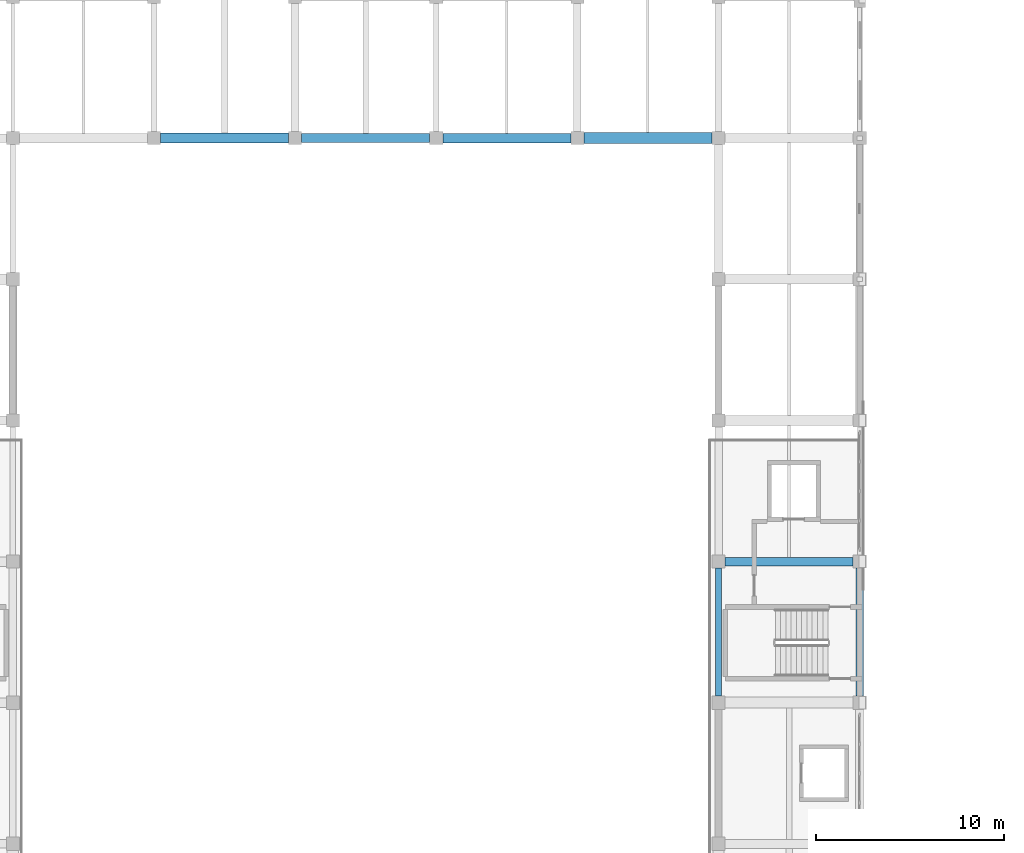
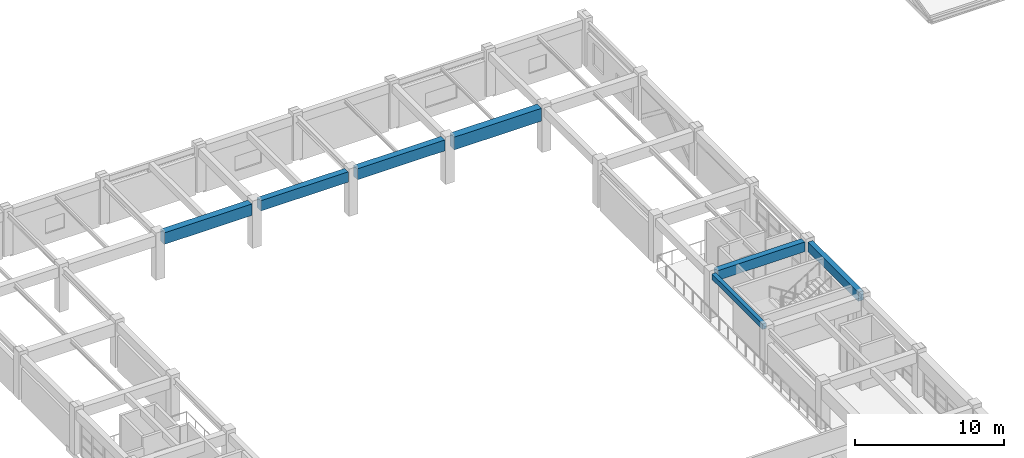
# One storey, part 34 of 82: 7 beams.
"""IFC4 building model written with IfcOpenShell, lengths in metres."""

from ifc_helpers import new_model, si_unit, direction, frame, origin, origin_2d, place, context, subcontext, project, spatial, rectangle, extrude, material, material_profile, profile_set, type_object, element, save


model = new_model("IFC4")

# Units and contexts
model_context = context("Model", 3, precision=1e-05, world=origin(), true_north=direction((0.0, 1.0)))
body_context = subcontext(model_context, "Body", "Model", "MODEL_VIEW")
ifc_project = project(units=[si_unit("LENGTHUNIT", "METRE"), si_unit("AREAUNIT", "SQUARE_METRE"), si_unit("VOLUMEUNIT", "CUBIC_METRE"), si_unit("PLANEANGLEUNIT", "RADIAN"), si_unit("MASSUNIT", "GRAM", prefix="KILO")], contexts=[model_context])

# Site, building, storey
site_placement = place(None, origin())
site = spatial("IfcSite", under=ifc_project, at=site_placement, CompositionType="ELEMENT")
building_placement = place(site_placement, origin())
building = spatial("IfcBuilding", under=site, at=building_placement, Name="Qasida Concert Hall", CompositionType="ELEMENT")
storey_placement = place(building_placement, frame((0.0, 0.0, 17.10009765625)))
storey = spatial("IfcBuildingStorey", under=building, at=storey_placement, Name="L04", CompositionType="ELEMENT", Elevation=17.10009765625)

# Beams
ifc_material_1 = material(Name="Concrete C40/50", Category="concrete")
ifc_material_profile_1 = material_profile(ifc_material_1, rectangle(XDim=0.300048828125, YDim=0.449951171875, at=origin_2d()), Name="RC 300x450")
ifc_profile_set_1 = profile_set([ifc_material_profile_1], Name="Concrete C40/50")
beam_type_1 = type_object("IfcBeamType", Name="BM-B3", PredefinedType="BEAM", material=ifc_profile_set_1)
beam_1_placement = place(storey_placement, frame((97.5, 45.35009765625, 3.39501953125), z_axis=(0.0, 1.0, 0.0), x_axis=(-1.0, 0.0, 0.0)))
element("IfcBeam", 1, at=beam_1_placement, inside=storey, type_object=beam_type_1, Name="L04 girder 1858", PredefinedType="BEAM", context=body_context, shape_type="SweptSolid", body=[
    extrude(rectangle(XDim=0.300048828125, YDim=0.449951171875, at=origin_2d()), origin(), (0.0, 0.0, 1.0), 6.7998046875),
])
ifc_material_profile_2 = material_profile(ifc_material_1, rectangle(XDim=0.5, YDim=0.89990234375, at=origin_2d()), Name="RC 500x900")
ifc_profile_set_2 = profile_set([ifc_material_profile_2], Name="Concrete C40/50")
beam_type_2 = type_object("IfcBeamType", Name="BM-G1", PredefinedType="USERDEFINED", material=ifc_profile_set_2)
beam_2_placement = place(storey_placement, frame((82.85009765625, 75.0, 3.169921875), z_axis=(1.0, 0.0, 0.0), x_axis=(0.0, 1.0, 0.0)))
element("IfcBeam", 2, at=beam_2_placement, inside=storey, type_object=beam_type_2, Name="Primary girder 1829", ObjectType="GIRDER", PredefinedType="USERDEFINED", context=body_context, shape_type="SweptSolid", body=[
    extrude(rectangle(XDim=0.5, YDim=0.89990234375, at=origin_2d()), origin(), (0.0, 0.0, 1.0), 6.7998046875),
])
ifc_material_profile_3 = material_profile(ifc_material_1, rectangle(XDim=0.449951171875, YDim=0.800048828125, at=origin_2d()), Name="RC 450x800")
ifc_profile_set_3 = profile_set([ifc_material_profile_3], Name="Concrete C40/50")
beam_type_3 = type_object("IfcBeamType", Name="BM-G2", PredefinedType="USERDEFINED", material=ifc_profile_set_3)
beam_3_placement = place(storey_placement, frame((97.85009765625, 52.5, 3.219970703125), z_axis=(1.0, 0.0, 0.0), x_axis=(0.0, 1.0, 0.0)))
element("IfcBeam", 3, at=beam_3_placement, inside=storey, type_object=beam_type_3, Name="Primary girder 1820", ObjectType="GIRDER", PredefinedType="USERDEFINED", context=body_context, shape_type="SweptSolid", body=[
    extrude(rectangle(XDim=0.449951171875, YDim=0.800048828125, at=origin_2d()), origin(), (0.0, 0.0, 1.0), 6.7998046875),
])
ifc_material_profile_4 = material_profile(ifc_material_1, rectangle(XDim=0.47998046875, YDim=0.85009765625, at=origin_2d()), Name="RC 480x850")
ifc_profile_set_4 = profile_set([ifc_material_profile_4], Name="Concrete C40/50")
beam_type_4 = type_object("IfcBeamType", Name="BM-G6", PredefinedType="USERDEFINED", material=ifc_profile_set_4)
beam_4_placement = place(storey_placement, frame((75.35009765625, 75.0, 3.19482421875), z_axis=(1.0, 0.0, 0.0), x_axis=(0.0, 1.0, 0.0)))
element("IfcBeam", 4, at=beam_4_placement, inside=storey, type_object=beam_type_4, Name="Primary girder 1828", ObjectType="GIRDER", PredefinedType="USERDEFINED", context=body_context, shape_type="SweptSolid", body=[
    extrude(rectangle(XDim=0.47998046875, YDim=0.85009765625, at=origin_2d()), origin(), (0.0, 0.0, 1.0), 6.7998046875),
])
ifc_material_profile_5 = material_profile(ifc_material_1, rectangle(XDim=0.52001953125, YDim=0.949951171875, at=origin_2d()), Name="RC 520x950")
ifc_profile_set_5 = profile_set([ifc_material_profile_5], Name="Concrete C40/50")
beam_type_5 = type_object("IfcBeamType", Name="BM-G7", PredefinedType="USERDEFINED", material=ifc_profile_set_5)
beam_5_placement = place(storey_placement, frame((67.85009765625, 75.0, 3.14501953125), z_axis=(1.0, 0.0, 0.0), x_axis=(0.0, 1.0, 0.0)))
element("IfcBeam", 5, at=beam_5_placement, inside=storey, type_object=beam_type_5, Name="Primary girder 1827", ObjectType="GIRDER", PredefinedType="USERDEFINED", context=body_context, shape_type="SweptSolid", body=[
    extrude(rectangle(XDim=0.52001953125, YDim=0.949951171875, at=origin_2d()), origin(), (0.0, 0.0, 1.0), 6.7998046875),
])
ifc_material_2 = material(Name="Concrete C50/60", Category="concrete")
ifc_material_profile_6 = material_profile(ifc_material_2, rectangle(XDim=0.580078125, YDim=1.050048828125, at=origin_2d()), Name="RC 580x1050")
ifc_profile_set_6 = profile_set([ifc_material_profile_6], Name="Concrete C50/60")
beam_type_6 = type_object("IfcBeamType", Name="BM-G8", PredefinedType="USERDEFINED", material=ifc_profile_set_6)
beam_6_placement = place(storey_placement, frame((90.35009765625, 75.0, 3.094970703125), z_axis=(1.0, 0.0, 0.0), x_axis=(0.0, 1.0, 0.0)))
element("IfcBeam", 6, at=beam_6_placement, inside=storey, type_object=beam_type_6, Name="Primary girder 1830", ObjectType="GIRDER", PredefinedType="USERDEFINED", context=body_context, shape_type="SweptSolid", body=[
    extrude(rectangle(XDim=0.580078125, YDim=1.050048828125, at=origin_2d()), origin(), (0.0, 0.0, 1.0), 6.7998046875),
])
ifc_material_profile_7 = material_profile(ifc_material_1, rectangle(XDim=0.39990234375, YDim=0.75, at=origin_2d()), Name="RC 400x750")
ifc_profile_set_7 = profile_set([ifc_material_profile_7], Name="Concrete C40/50")
beam_type_7 = type_object("IfcBeamType", Name="BM-SP1", PredefinedType="SPANDREL", material=ifc_profile_set_7)
beam_7_placement = place(storey_placement, frame((105.0, 45.35009765625, 3.244873046875), z_axis=(0.0, 1.0, 0.0), x_axis=(-1.0, 0.0, 0.0)))
element("IfcBeam", 7, at=beam_7_placement, inside=storey, type_object=beam_type_7, Name="L04 girder 1864", PredefinedType="SPANDREL", context=body_context, shape_type="SweptSolid", body=[
    extrude(rectangle(XDim=0.39990234375, YDim=0.75, at=origin_2d()), origin(), (0.0, 0.0, 1.0), 6.7998046875),
])

save(model, "model.ifc")
